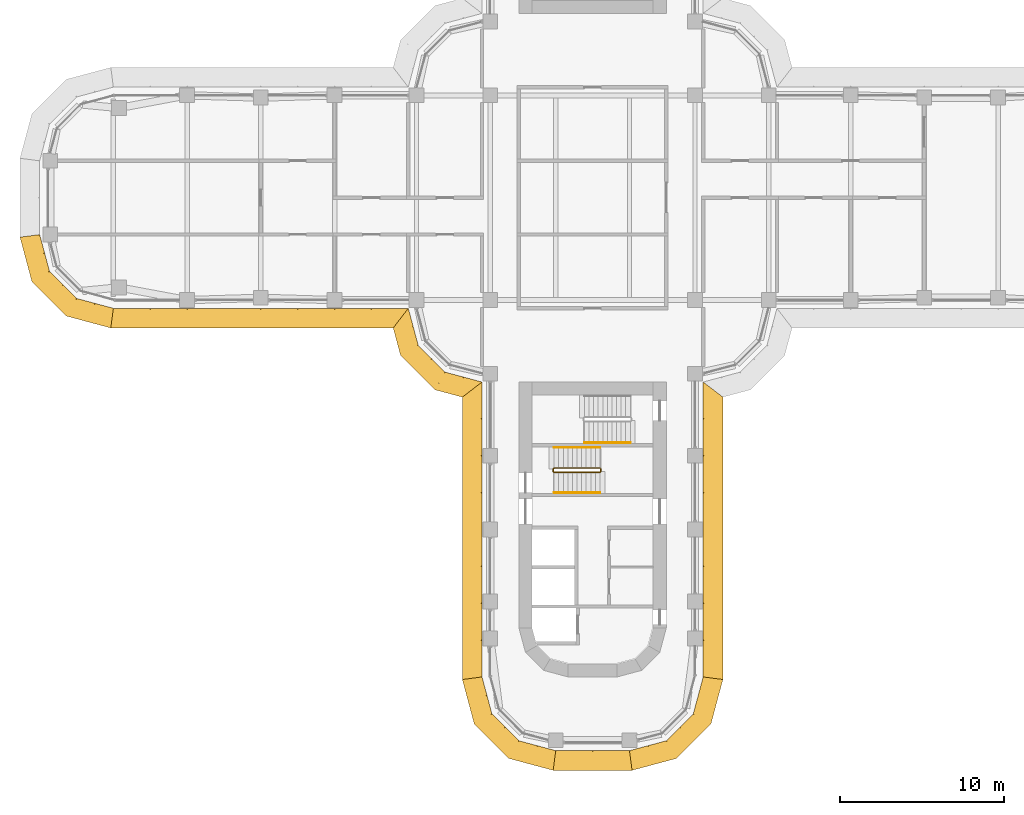
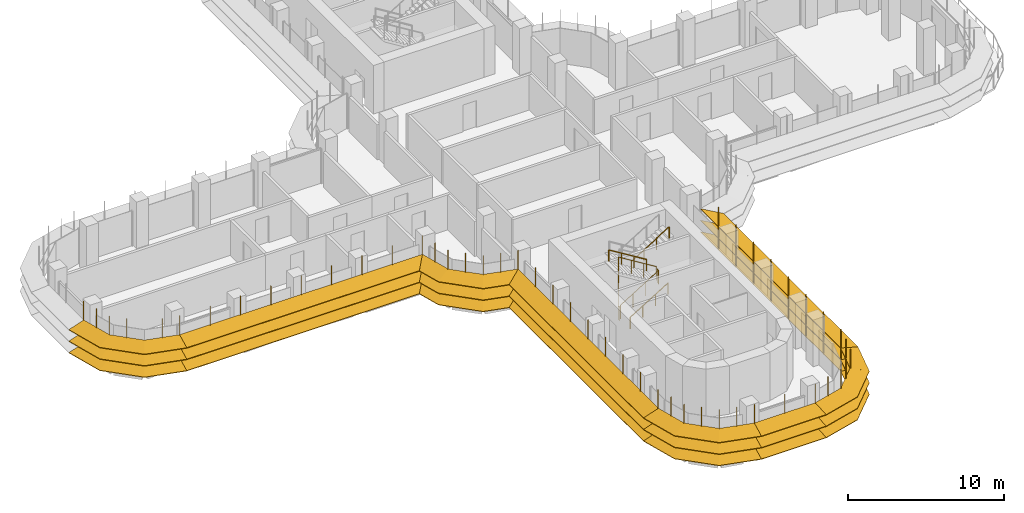
# One storey, part 19 of 22: 8 shading devices, 4 railings.
"""IFC4 building model written with IfcOpenShell, lengths in metres."""

from ifc_helpers import new_model, si_unit, direction, frame, origin, origin_2d, place, context, subcontext, project, spatial, polyline, circle, outline, extrude, faceted_brep, source, transform, mapped, material, type_object, element, save


model = new_model("IFC4")

# Units and contexts
model_context = context("Model", 3, precision=1e-05, world=origin(), true_north=direction((0.0, 1.0)))
body_context = subcontext(model_context, "Body", "Model", "MODEL_VIEW")
ifc_project = project(units=[si_unit("LENGTHUNIT", "METRE"), si_unit("AREAUNIT", "SQUARE_METRE"), si_unit("VOLUMEUNIT", "CUBIC_METRE"), si_unit("PLANEANGLEUNIT", "RADIAN"), si_unit("MASSUNIT", "GRAM", prefix="KILO")], contexts=[model_context])

# Site, building, storey
site_placement = place(None, origin())
site = spatial("IfcSite", under=ifc_project, at=site_placement, CompositionType="ELEMENT")
building_placement = place(site_placement, origin())
building = spatial("IfcBuilding", under=site, at=building_placement, Name="Zarbagh Exchange Tower", CompositionType="ELEMENT")
storey_placement = place(building_placement, frame((0.0, 0.0, 124.60009765625)))
storey = spatial("IfcBuildingStorey", under=building, at=storey_placement, Name="L29", CompositionType="ELEMENT", Elevation=124.60009765625)

# Railings
ifc_material_1 = material(Name="Stainless steel", Category="steel")
railing_type_1 = type_object("IfcRailingType", Name="Stair guard 1100 mm", PredefinedType="GUARDRAIL", material=ifc_material_1)
railing_1_placement = place(storey_placement, frame((0.449951171875, -16.5, 2.072509765625)))
element("IfcRailing", 1, at=railing_1_placement, inside=storey, type_object=railing_type_1, Name="ST3 stair guard 1", PredefinedType="GUARDRAIL", context=body_context, shape_type="SweptSolid", body=[
    extrude(circle(Radius=0.02392578125, at=origin_2d()), frame((0.0, 0.0, 1.076171875), z_axis=(-0.851089632645, 0.0, 0.525020415988), x_axis=(0.0, -1.0, 0.0)), (0.0, 0.0, 1.0), 3.2900390625),
    extrude(circle(Radius=0.02392578125, at=origin_2d()), frame((-2.800048828125, 0.0, 2.80322265625), z_axis=(-0.013104908129, -0.013169147875, -0.999827402569), x_axis=(0.708833529934, -0.705375805398, 0.0)), (0.0, 0.0, 1.0), 3.800537109375),
    extrude(circle(Radius=0.02392578125, at=origin_2d()), frame((-2.849853515625, -0.050048828125, -0.99658203125), z_axis=(0.0, -1.0, 0.0), x_axis=(1.0, 0.0, 0.0)), (0.0, 0.0, 1.0), 0.14990234375),
    extrude(circle(Radius=0.02392578125, at=origin_2d()), frame((-2.849853515625, -0.199951171875, -0.99658203125), z_axis=(0.267062837333, -0.268371968888, 0.925556009775), x_axis=(0.708833529934, 0.705375805398, 0.0)), (0.0, 0.0, 1.0), 0.1865234375),
    extrude(circle(Radius=0.02392578125, at=origin_2d()), frame((-2.800048828125, -0.25, -0.82373046875), z_axis=(0.851089632645, 0.0, 0.525020415988), x_axis=(0.0, 1.0, 0.0)), (0.0, 0.0, 1.0), 3.2900390625),
    extrude(circle(Radius=0.02392578125, at=origin_2d()), frame((0.0, -0.25, 0.9033203125), z_axis=(0.707106781187, 0.707106781187, 0.0), x_axis=(-0.707106781187, 0.707106781187, 0.0)), (0.0, 0.0, 1.0), 0.07080078125),
    extrude(circle(Radius=0.02392578125, at=origin_2d()), frame((0.050048828125, -0.199951171875, 0.9033203125), z_axis=(0.0, 1.0, 0.0), x_axis=(-1.0, 0.0, 0.0)), (0.0, 0.0, 1.0), 0.14990234375),
    extrude(circle(Radius=0.02099609375, at=origin_2d()), origin(), (0.0, 0.0, 1.0), 1.052001953125),
    extrude(circle(Radius=0.02099609375, at=origin_2d()), frame((-0.933349609375, 0.0, 0.57568359375)), (0.0, 0.0, 1.0), 1.052001953125),
    extrude(circle(Radius=0.02099609375, at=origin_2d()), frame((-1.86669921875, 0.0, 1.151611328125)), (0.0, 0.0, 1.0), 1.052001953125),
    extrude(circle(Radius=0.02099609375, at=origin_2d()), frame((-2.800048828125, 0.0, 1.727294921875)), (0.0, 0.0, 1.0), 1.052001953125),
    extrude(circle(Radius=0.02099609375, at=origin_2d()), frame((-2.8125, -0.012451171875, 0.77734375)), (0.0, 0.0, 1.0), 1.052001953125),
    extrude(circle(Radius=0.02099609375, at=origin_2d()), frame((-2.824951171875, -0.02490234375, -0.172607421875)), (0.0, 0.0, 1.0), 1.052001953125),
    extrude(circle(Radius=0.02099609375, at=origin_2d()), frame((-2.83740234375, -0.03759765625, -1.12255859375)), (0.0, 0.0, 1.0), 1.052001953125),
    extrude(circle(Radius=0.02099609375, at=origin_2d()), frame((-2.849853515625, -0.050048828125, -2.072509765625)), (0.0, 0.0, 1.0), 1.052001953125),
    extrude(circle(Radius=0.02099609375, at=origin_2d()), frame((-2.849853515625, -0.199951171875, -2.072509765625)), (0.0, 0.0, 1.0), 1.052001953125),
    extrude(circle(Radius=0.02099609375, at=origin_2d()), frame((-2.800048828125, -0.25, -1.89990234375)), (0.0, 0.0, 1.0), 1.052001953125),
    extrude(circle(Radius=0.02099609375, at=origin_2d()), frame((-1.86669921875, -0.25, -1.32421875)), (0.0, 0.0, 1.0), 1.052001953125),
    extrude(circle(Radius=0.02099609375, at=origin_2d()), frame((-0.933349609375, -0.25, -0.748291015625)), (0.0, 0.0, 1.0), 1.052001953125),
    extrude(circle(Radius=0.02099609375, at=origin_2d()), frame((0.0, -0.25, -0.172607421875)), (0.0, 0.0, 1.0), 1.052001953125),
    extrude(circle(Radius=0.02099609375, at=origin_2d()), frame((0.050048828125, -0.199951171875, -0.172607421875)), (0.0, 0.0, 1.0), 1.052001953125),
    extrude(circle(Radius=0.02099609375, at=origin_2d()), frame((0.050048828125, -0.050048828125, -0.172607421875)), (0.0, 0.0, 1.0), 1.052001953125),
])
railing_type_2 = type_object("IfcRailingType", Name="Stair handrail 900 mm", PredefinedType="HANDRAIL", material=ifc_material_1)
railing_2_placement = place(storey_placement, frame((-2.35009765625, -18.0, 0.172607421875)))
element("IfcRailing", 2, at=railing_2_placement, inside=storey, type_object=railing_type_2, Name="ST3 stair handrail 1", PredefinedType="HANDRAIL", context=body_context, shape_type="SweptSolid", body=[
    extrude(circle(Radius=0.02392578125, at=origin_2d()), frame((0.0, 0.0, 0.8759765625), z_axis=(0.851089632645, 0.0, 0.525020415988), x_axis=(0.0, 1.0, 0.0)), (0.0, 0.0, 1.0), 3.2900390625),
    extrude(circle(Radius=0.02099609375, at=origin_2d()), origin(), (0.0, 0.0, 1.0), 0.851806640625),
    extrude(circle(Radius=0.02099609375, at=origin_2d()), frame((0.933349609375, 0.0, 0.57568359375)), (0.0, 0.0, 1.0), 0.851806640625),
    extrude(circle(Radius=0.02099609375, at=origin_2d()), frame((1.86669921875, 0.0, 1.151611328125)), (0.0, 0.0, 1.0), 0.851806640625),
    extrude(circle(Radius=0.02099609375, at=origin_2d()), frame((2.800048828125, 0.0, 1.727294921875)), (0.0, 0.0, 1.0), 0.851806640625),
])
railing_3_placement = place(storey_placement, frame((0.449951171875, -15.25, 2.072509765625)))
element("IfcRailing", 3, at=railing_3_placement, inside=storey, type_object=railing_type_2, Name="ST3 stair handrail 2", PredefinedType="HANDRAIL", context=body_context, shape_type="SweptSolid", body=[
    extrude(circle(Radius=0.02392578125, at=origin_2d()), frame((0.0, 0.0, 0.8759765625), z_axis=(-0.851089632645, 0.0, 0.525020415988), x_axis=(0.0, -1.0, 0.0)), (0.0, 0.0, 1.0), 3.2900390625),
    extrude(circle(Radius=0.02099609375, at=origin_2d()), origin(), (0.0, 0.0, 1.0), 0.851806640625),
    extrude(circle(Radius=0.02099609375, at=origin_2d()), frame((-0.933349609375, 0.0, 0.57568359375)), (0.0, 0.0, 1.0), 0.851806640625),
    extrude(circle(Radius=0.02099609375, at=origin_2d()), frame((-1.86669921875, 0.0, 1.151611328125)), (0.0, 0.0, 1.0), 0.851806640625),
    extrude(circle(Radius=0.02099609375, at=origin_2d()), frame((-2.800048828125, 0.0, 1.727294921875)), (0.0, 0.0, 1.0), 0.851806640625),
])
railing_4_placement = place(storey_placement, frame((-0.5, -14.949951171875, 2.072509765625)))
element("IfcRailing", 4, at=railing_4_placement, inside=storey, type_object=railing_type_2, Name="ST4 stair handrail 2", PredefinedType="HANDRAIL", context=body_context, shape_type="SweptSolid", body=[
    extrude(circle(Radius=0.02392578125, at=origin_2d()), frame((0.0, 0.0, 0.8759765625), z_axis=(0.851089632645, 0.0, 0.525020415988), x_axis=(0.0, 1.0, 0.0)), (0.0, 0.0, 1.0), 3.2900390625),
    extrude(circle(Radius=0.02099609375, at=origin_2d()), origin(), (0.0, 0.0, 1.0), 0.851806640625),
    extrude(circle(Radius=0.02099609375, at=origin_2d()), frame((0.933349609375, 0.0, 0.57568359375)), (0.0, 0.0, 1.0), 0.851806640625),
    extrude(circle(Radius=0.02099609375, at=origin_2d()), frame((1.86669921875, 0.0, 1.151611328125)), (0.0, 0.0, 1.0), 0.851806640625),
    extrude(circle(Radius=0.02099609375, at=origin_2d()), frame((2.800048828125, 0.0, 1.727294921875)), (0.0, 0.0, 1.0), 0.851806640625),
])

# Shading devices
ifc_material_2 = material(Name="Anodised aluminium blades and brackets", Category="aluminium")
shading_device_type = type_object("IfcShadingDeviceType", Name="SUNSHADE louvre band, 11.25 degree blades", PredefinedType="JALOUSIE", material=ifc_material_2)
shared_shape_1 = source(origin(), body_context, "Body", "Brep", [
    faceted_brep([(0.0, 0.0, 0.0), (0.0, 0.0, -0.040771484375), (-0.157958984375, -1.199951171875, -0.279541015625), (-0.157958984375, -1.199951171875, -0.23876953125), (2.65087890625, -1.199951171875, -0.23876953125), (2.65087890625, -1.199951171875, -0.279541015625), (2.329345703125, 0.0, -0.040771484375), (2.329345703125, 0.0, 0.0)], [[[0, 1, 2, 3]], [[4, 5, 6, 7]], [[0, 7, 6, 1]], [[1, 6, 5, 2]], [[2, 5, 4, 3]], [[3, 4, 7, 0]]]),
])
shared_shape_2 = source(origin(), body_context, "Body", "Brep", [
    faceted_brep([(0.0, 0.0, 0.0), (0.0, 0.0, -0.040771484375), (-0.321533203125, -1.199951171875, -0.279541015625), (-0.321533203125, -1.199951171875, -0.23876953125), (2.65087890625, -1.199951171875, -0.23876953125), (2.65087890625, -1.199951171875, -0.279541015625), (2.329345703125, 0.0, -0.040771484375), (2.329345703125, 0.0, 0.0)], [[[0, 1, 2, 3]], [[4, 5, 6, 7]], [[0, 7, 6, 1]], [[1, 6, 5, 2]], [[2, 5, 4, 3]], [[3, 4, 7, 0]]]),
])
shared_shape_3 = source(origin(), body_context, "Body", "Brep", [
    faceted_brep([(0.0, 0.0, 0.0), (0.0, 0.0, -0.040771484375), (-0.321533203125, -1.199951171875, -0.279541015625), (-0.321533203125, -1.199951171875, -0.23876953125), (2.4873046875, -1.199951171875, -0.23876953125), (2.4873046875, -1.199951171875, -0.279541015625), (2.329345703125, 0.0, -0.040771484375), (2.329345703125, 0.0, 0.0)], [[[0, 1, 2, 3]], [[4, 5, 6, 7]], [[0, 7, 6, 1]], [[1, 6, 5, 2]], [[2, 5, 4, 3]], [[3, 4, 7, 0]]]),
])
shared_shape_4 = source(origin(), body_context, "Body", "SweptSolid", [
    extrude(outline(polyline([(0.0, -0.012451171875), (0.06005859375, -0.012451171875), (0.06005859375, 0.012451171875), (0.0, 0.012451171875), (0.0, -0.012451171875)])), origin(), (0.0, 0.0, 1.0), 3.350830078125),
])
placement = place(storey_placement, origin())
element("IfcShadingDevice", 5, at=placement, inside=storey, type_object=shading_device_type, Name="SS01 sunshade band", PredefinedType="JALOUSIE", context=body_context, shape_type="MappedRepresentation", body=[
    mapped(shared_shape_1, transform((2.25, -33.75, 2.2998046875), x_axis=(0.965924289636, 0.258824779902, 0.0), y_axis=(-0.258824779902, 0.965924289636, 0.0), z_axis=(0.0, 0.0, 1.0))),
    mapped(shared_shape_1, transform((2.25, -33.75, 1.39990234375), x_axis=(0.965924289636, 0.258824779902, 0.0), y_axis=(-0.258824779902, 0.965924289636, 0.0), z_axis=(0.0, 0.0, 1.0))),
    mapped(shared_shape_1, transform((2.25, -33.75, 0.5), x_axis=(0.965924289636, 0.258824779902, 0.0), y_axis=(-0.258824779902, 0.965924289636, 0.0), z_axis=(0.0, 0.0, 1.0))),
    mapped(shared_shape_2, transform((4.5, -33.147216796875, 2.2998046875), x_axis=(0.707106781187, 0.707106781187, 0.0), y_axis=(-0.707106781187, 0.707106781187, 0.0), z_axis=(0.0, 0.0, 1.0))),
    mapped(shared_shape_2, transform((4.5, -33.147216796875, 1.39990234375), x_axis=(0.707106781187, 0.707106781187, 0.0), y_axis=(-0.707106781187, 0.707106781187, 0.0), z_axis=(0.0, 0.0, 1.0))),
    mapped(shared_shape_2, transform((4.5, -33.147216796875, 0.5), x_axis=(0.707106781187, 0.707106781187, 0.0), y_axis=(-0.707106781187, 0.707106781187, 0.0), z_axis=(0.0, 0.0, 1.0))),
    mapped(shared_shape_3, transform((6.147216796875, -31.5, 2.2998046875), x_axis=(0.258824779902, 0.965924289636, 0.0), y_axis=(-0.965924289636, 0.258824779902, 0.0), z_axis=(0.0, 0.0, 1.0))),
    mapped(shared_shape_3, transform((6.147216796875, -31.5, 1.39990234375), x_axis=(0.258824779902, 0.965924289636, 0.0), y_axis=(-0.965924289636, 0.258824779902, 0.0), z_axis=(0.0, 0.0, 1.0))),
    mapped(shared_shape_3, transform((6.147216796875, -31.5, 0.5), x_axis=(0.258824779902, 0.965924289636, 0.0), y_axis=(-0.965924289636, 0.258824779902, 0.0), z_axis=(0.0, 0.0, 1.0))),
    mapped(shared_shape_4, transform((2.25, -33.75, 0.42919921875), x_axis=(0.130529263012, -0.991444457092, 0.0), y_axis=(0.991444457092, 0.130529263012, 0.0), z_axis=(0.0, 0.0, 1.0))),
    mapped(shared_shape_4, transform((3.375, -33.448486328125, 0.42919921875), x_axis=(0.258825058029, -0.96592421511, 0.0), y_axis=(0.96592421511, 0.258825058029, 0.0), z_axis=(0.0, 0.0, 1.0))),
    mapped(shared_shape_4, transform((4.5, -33.147216796875, 0.42919921875), x_axis=(0.50000275701, -0.866023812018, 0.0), y_axis=(0.866023812018, 0.50000275701, 0.0), z_axis=(0.0, 0.0, 1.0))),
    mapped(shared_shape_4, transform((5.323486328125, -32.323486328125, 0.42919921875), x_axis=(0.707106781187, -0.707106781187, 0.0), y_axis=(0.707106781187, 0.707106781187, 0.0), z_axis=(0.0, 0.0, 1.0))),
    mapped(shared_shape_4, transform((6.147216796875, -31.5, 0.42919921875), x_axis=(0.866023812018, -0.50000275701, 0.0), y_axis=(0.50000275701, 0.866023812018, 0.0), z_axis=(0.0, 0.0, 1.0))),
    mapped(shared_shape_4, transform((6.448486328125, -30.375, 0.42919921875), x_axis=(0.96592421511, -0.258825058029, 0.0), y_axis=(0.258825058029, 0.96592421511, 0.0), z_axis=(0.0, 0.0, 1.0))),
])
element("IfcShadingDevice", 6, at=placement, inside=storey, type_object=shading_device_type, Name="SS19 sunshade band", PredefinedType="JALOUSIE", context=body_context, shape_type="MappedRepresentation", body=[
    mapped(shared_shape_1, transform((-33.75, -2.25, 2.2998046875), x_axis=(0.258824779902, -0.965924289636, 0.0), y_axis=(0.965924289636, 0.258824779902, 0.0), z_axis=(0.0, 0.0, 1.0))),
    mapped(shared_shape_1, transform((-33.75, -2.25, 1.39990234375), x_axis=(0.258824779902, -0.965924289636, 0.0), y_axis=(0.965924289636, 0.258824779902, 0.0), z_axis=(0.0, 0.0, 1.0))),
    mapped(shared_shape_1, transform((-33.75, -2.25, 0.5), x_axis=(0.258824779902, -0.965924289636, 0.0), y_axis=(0.965924289636, 0.258824779902, 0.0), z_axis=(0.0, 0.0, 1.0))),
    mapped(shared_shape_2, transform((-33.147216796875, -4.5, 2.2998046875), x_axis=(0.707106781187, -0.707106781187, 0.0), y_axis=(0.707106781187, 0.707106781187, 0.0), z_axis=(0.0, 0.0, 1.0))),
    mapped(shared_shape_2, transform((-33.147216796875, -4.5, 1.39990234375), x_axis=(0.707106781187, -0.707106781187, 0.0), y_axis=(0.707106781187, 0.707106781187, 0.0), z_axis=(0.0, 0.0, 1.0))),
    mapped(shared_shape_2, transform((-33.147216796875, -4.5, 0.5), x_axis=(0.707106781187, -0.707106781187, 0.0), y_axis=(0.707106781187, 0.707106781187, 0.0), z_axis=(0.0, 0.0, 1.0))),
    mapped(shared_shape_3, transform((-31.5, -6.147216796875, 2.2998046875), x_axis=(0.965924289636, -0.258824779902, 0.0), y_axis=(0.258824779902, 0.965924289636, 0.0), z_axis=(0.0, 0.0, 1.0))),
    mapped(shared_shape_3, transform((-31.5, -6.147216796875, 1.39990234375), x_axis=(0.965924289636, -0.258824779902, 0.0), y_axis=(0.258824779902, 0.965924289636, 0.0), z_axis=(0.0, 0.0, 1.0))),
    mapped(shared_shape_3, transform((-31.5, -6.147216796875, 0.5), x_axis=(0.965924289636, -0.258824779902, 0.0), y_axis=(0.258824779902, 0.965924289636, 0.0), z_axis=(0.0, 0.0, 1.0))),
    mapped(shared_shape_4, transform((-33.75, -2.25, 0.42919921875), x_axis=(-0.991444457092, -0.130529263012, 0.0), y_axis=(0.130529263012, -0.991444457092, 0.0), z_axis=(0.0, 0.0, 1.0))),
    mapped(shared_shape_4, transform((-33.448486328125, -3.375, 0.42919921875), x_axis=(-0.96592421511, -0.258825058029, 0.0), y_axis=(0.258825058029, -0.96592421511, 0.0), z_axis=(0.0, 0.0, 1.0))),
    mapped(shared_shape_4, transform((-33.147216796875, -4.5, 0.42919921875), x_axis=(-0.866023812018, -0.50000275701, 0.0), y_axis=(0.50000275701, -0.866023812018, 0.0), z_axis=(0.0, 0.0, 1.0))),
    mapped(shared_shape_4, transform((-32.323486328125, -5.323486328125, 0.42919921875), x_axis=(-0.707106781187, -0.707106781187, 0.0), y_axis=(0.707106781187, -0.707106781187, 0.0), z_axis=(0.0, 0.0, 1.0))),
    mapped(shared_shape_4, transform((-31.5, -6.147216796875, 0.42919921875), x_axis=(-0.50000275701, -0.866023812018, 0.0), y_axis=(0.866023812018, -0.50000275701, 0.0), z_axis=(0.0, 0.0, 1.0))),
    mapped(shared_shape_4, transform((-30.375, -6.448486328125, 0.42919921875), x_axis=(-0.258825058029, -0.96592421511, 0.0), y_axis=(0.96592421511, -0.258825058029, 0.0), z_axis=(0.0, 0.0, 1.0))),
])
element("IfcShadingDevice", 7, at=placement, inside=storey, type_object=shading_device_type, Name="SS23 sunshade band", PredefinedType="JALOUSIE", context=body_context, shape_type="MappedRepresentation", body=[
    mapped(shared_shape_1, transform((-6.75, -29.25, 2.2998046875), x_axis=(0.258824779902, -0.965924289636, 0.0), y_axis=(0.965924289636, 0.258824779902, 0.0), z_axis=(0.0, 0.0, 1.0))),
    mapped(shared_shape_1, transform((-6.75, -29.25, 1.39990234375), x_axis=(0.258824779902, -0.965924289636, 0.0), y_axis=(0.965924289636, 0.258824779902, 0.0), z_axis=(0.0, 0.0, 1.0))),
    mapped(shared_shape_1, transform((-6.75, -29.25, 0.5), x_axis=(0.258824779902, -0.965924289636, 0.0), y_axis=(0.965924289636, 0.258824779902, 0.0), z_axis=(0.0, 0.0, 1.0))),
    mapped(shared_shape_2, transform((-6.147216796875, -31.5, 2.2998046875), x_axis=(0.707106781187, -0.707106781187, 0.0), y_axis=(0.707106781187, 0.707106781187, 0.0), z_axis=(0.0, 0.0, 1.0))),
    mapped(shared_shape_2, transform((-6.147216796875, -31.5, 1.39990234375), x_axis=(0.707106781187, -0.707106781187, 0.0), y_axis=(0.707106781187, 0.707106781187, 0.0), z_axis=(0.0, 0.0, 1.0))),
    mapped(shared_shape_2, transform((-6.147216796875, -31.5, 0.5), x_axis=(0.707106781187, -0.707106781187, 0.0), y_axis=(0.707106781187, 0.707106781187, 0.0), z_axis=(0.0, 0.0, 1.0))),
    mapped(shared_shape_3, transform((-4.5, -33.147216796875, 2.2998046875), x_axis=(0.965924289636, -0.258824779902, 0.0), y_axis=(0.258824779902, 0.965924289636, 0.0), z_axis=(0.0, 0.0, 1.0))),
    mapped(shared_shape_3, transform((-4.5, -33.147216796875, 1.39990234375), x_axis=(0.965924289636, -0.258824779902, 0.0), y_axis=(0.258824779902, 0.965924289636, 0.0), z_axis=(0.0, 0.0, 1.0))),
    mapped(shared_shape_3, transform((-4.5, -33.147216796875, 0.5), x_axis=(0.965924289636, -0.258824779902, 0.0), y_axis=(0.258824779902, 0.965924289636, 0.0), z_axis=(0.0, 0.0, 1.0))),
    mapped(shared_shape_4, transform((-6.75, -29.25, 0.42919921875), x_axis=(-0.991444457092, -0.130529263012, 0.0), y_axis=(0.130529263012, -0.991444457092, 0.0), z_axis=(0.0, 0.0, 1.0))),
    mapped(shared_shape_4, transform((-6.448486328125, -30.375, 0.42919921875), x_axis=(-0.96592421511, -0.258825058029, 0.0), y_axis=(0.258825058029, -0.96592421511, 0.0), z_axis=(0.0, 0.0, 1.0))),
    mapped(shared_shape_4, transform((-6.147216796875, -31.5, 0.42919921875), x_axis=(-0.866023812018, -0.50000275701, 0.0), y_axis=(0.50000275701, -0.866023812018, 0.0), z_axis=(0.0, 0.0, 1.0))),
    mapped(shared_shape_4, transform((-5.323486328125, -32.323486328125, 0.42919921875), x_axis=(-0.707106781187, -0.707106781187, 0.0), y_axis=(0.707106781187, -0.707106781187, 0.0), z_axis=(0.0, 0.0, 1.0))),
    mapped(shared_shape_4, transform((-4.5, -33.147216796875, 0.42919921875), x_axis=(-0.50000275701, -0.866023812018, 0.0), y_axis=(0.866023812018, -0.50000275701, 0.0), z_axis=(0.0, 0.0, 1.0))),
    mapped(shared_shape_4, transform((-3.375, -33.448486328125, 0.42919921875), x_axis=(-0.258825058029, -0.96592421511, 0.0), y_axis=(0.96592421511, -0.258825058029, 0.0), z_axis=(0.0, 0.0, 1.0))),
])
shared_shape_5 = source(origin(), body_context, "Body", "Brep", [
    faceted_brep([(0.0, 0.0, 0.0), (0.0, 0.0, -0.040771484375), (0.9208984375, -1.199951171875, -0.279541015625), (0.9208984375, -1.199951171875, -0.23876953125), (2.65087890625, -1.199951171875, -0.23876953125), (2.65087890625, -1.199951171875, -0.279541015625), (2.329345703125, 0.0, -0.040771484375), (2.329345703125, 0.0, 0.0)], [[[0, 1, 2, 3]], [[4, 5, 6, 7]], [[0, 7, 6, 1]], [[1, 6, 5, 2]], [[2, 5, 4, 3]], [[3, 4, 7, 0]]]),
])
shared_shape_6 = source(origin(), body_context, "Body", "Brep", [
    faceted_brep([(0.0, 0.0, 0.0), (0.0, 0.0, -0.040771484375), (-0.321533203125, -1.199951171875, -0.279541015625), (-0.321533203125, -1.199951171875, -0.23876953125), (1.40869140625, -1.199951171875, -0.23876953125), (1.40869140625, -1.199951171875, -0.279541015625), (2.329345703125, 0.0, -0.040771484375), (2.329345703125, 0.0, 0.0)], [[[0, 1, 2, 3]], [[4, 5, 6, 7]], [[0, 7, 6, 1]], [[1, 6, 5, 2]], [[2, 5, 4, 3]], [[3, 4, 7, 0]]]),
])
element("IfcShadingDevice", 8, at=placement, inside=storey, type_object=shading_device_type, Name="SS21 sunshade band", PredefinedType="JALOUSIE", context=body_context, shape_type="MappedRepresentation", body=[
    mapped(shared_shape_5, transform((-11.25, -6.75, 2.2998046875), x_axis=(0.258824779902, -0.965924289636, 0.0), y_axis=(0.965924289636, 0.258824779902, 0.0), z_axis=(0.0, 0.0, 1.0))),
    mapped(shared_shape_5, transform((-11.25, -6.75, 1.39990234375), x_axis=(0.258824779902, -0.965924289636, 0.0), y_axis=(0.965924289636, 0.258824779902, 0.0), z_axis=(0.0, 0.0, 1.0))),
    mapped(shared_shape_5, transform((-11.25, -6.75, 0.5), x_axis=(0.258824779902, -0.965924289636, 0.0), y_axis=(0.965924289636, 0.258824779902, 0.0), z_axis=(0.0, 0.0, 1.0))),
    mapped(shared_shape_2, transform((-10.647216796875, -9.0, 2.2998046875), x_axis=(0.707106781187, -0.707106781187, 0.0), y_axis=(0.707106781187, 0.707106781187, 0.0), z_axis=(0.0, 0.0, 1.0))),
    mapped(shared_shape_2, transform((-10.647216796875, -9.0, 1.39990234375), x_axis=(0.707106781187, -0.707106781187, 0.0), y_axis=(0.707106781187, 0.707106781187, 0.0), z_axis=(0.0, 0.0, 1.0))),
    mapped(shared_shape_2, transform((-10.647216796875, -9.0, 0.5), x_axis=(0.707106781187, -0.707106781187, 0.0), y_axis=(0.707106781187, 0.707106781187, 0.0), z_axis=(0.0, 0.0, 1.0))),
    mapped(shared_shape_6, transform((-9.0, -10.647216796875, 2.2998046875), x_axis=(0.965924289636, -0.258824779902, 0.0), y_axis=(0.258824779902, 0.965924289636, 0.0), z_axis=(0.0, 0.0, 1.0))),
    mapped(shared_shape_6, transform((-9.0, -10.647216796875, 1.39990234375), x_axis=(0.965924289636, -0.258824779902, 0.0), y_axis=(0.258824779902, 0.965924289636, 0.0), z_axis=(0.0, 0.0, 1.0))),
    mapped(shared_shape_6, transform((-9.0, -10.647216796875, 0.5), x_axis=(0.965924289636, -0.258824779902, 0.0), y_axis=(0.258824779902, 0.965924289636, 0.0), z_axis=(0.0, 0.0, 1.0))),
    mapped(shared_shape_4, transform((-11.25, -6.75, 0.42919921875), x_axis=(-0.608758892, -0.793355287, 0.0), y_axis=(0.793355287, -0.608758892, 0.0), z_axis=(0.0, 0.0, 1.0))),
    mapped(shared_shape_4, transform((-10.948486328125, -7.875, 0.42919921875), x_axis=(-0.96592421511, -0.258825058029, 0.0), y_axis=(0.258825058029, -0.96592421511, 0.0), z_axis=(0.0, 0.0, 1.0))),
    mapped(shared_shape_4, transform((-10.647216796875, -9.0, 0.42919921875), x_axis=(-0.866023812018, -0.50000275701, 0.0), y_axis=(0.50000275701, -0.866023812018, 0.0), z_axis=(0.0, 0.0, 1.0))),
    mapped(shared_shape_4, transform((-9.823486328125, -9.823486328125, 0.42919921875), x_axis=(-0.707106781187, -0.707106781187, 0.0), y_axis=(0.707106781187, -0.707106781187, 0.0), z_axis=(0.0, 0.0, 1.0))),
    mapped(shared_shape_4, transform((-9.0, -10.647216796875, 0.42919921875), x_axis=(-0.50000275701, -0.866023812018, 0.0), y_axis=(0.866023812018, -0.50000275701, 0.0), z_axis=(0.0, 0.0, 1.0))),
    mapped(shared_shape_4, transform((-7.875, -10.948486328125, 0.42919921875), x_axis=(-0.258825058029, -0.96592421511, 0.0), y_axis=(0.96592421511, -0.258825058029, 0.0), z_axis=(0.0, 0.0, 1.0))),
])
shared_shape_7 = source(origin(), body_context, "Body", "Brep", [
    faceted_brep([(0.0, 0.0, 0.0), (0.0, 0.0, -0.040771484375), (-0.157958984375, -1.199951171875, -0.279541015625), (-0.157958984375, -1.199951171875, -0.23876953125), (17.0791015625, -1.199951171875, -0.23876953125), (17.0791015625, -1.199951171875, -0.279541015625), (18.0, 0.0, -0.040771484375), (18.0, 0.0, 0.0)], [[[0, 1, 2, 3]], [[4, 5, 6, 7]], [[0, 7, 6, 1]], [[1, 6, 5, 2]], [[2, 5, 4, 3]], [[3, 4, 7, 0]]]),
])
element("IfcShadingDevice", 9, at=placement, inside=storey, type_object=shading_device_type, Name="SS02 sunshade band", PredefinedType="JALOUSIE", context=body_context, shape_type="MappedRepresentation", body=[
    mapped(shared_shape_7, transform((6.75, -29.25, 2.2998046875), x_axis=(0.0, 1.0, 0.0), y_axis=(-1.0, 0.0, 0.0), z_axis=(0.0, 0.0, 1.0))),
    mapped(shared_shape_7, transform((6.75, -29.25, 1.39990234375), x_axis=(0.0, 1.0, 0.0), y_axis=(-1.0, 0.0, 0.0), z_axis=(0.0, 0.0, 1.0))),
    mapped(shared_shape_7, transform((6.75, -29.25, 0.5), x_axis=(0.0, 1.0, 0.0), y_axis=(-1.0, 0.0, 0.0), z_axis=(0.0, 0.0, 1.0))),
    mapped(shared_shape_4, transform((6.75, -29.25, 0.42919921875), x_axis=(0.991444457092, -0.130529263012, 0.0), y_axis=(0.130529263012, 0.991444457092, 0.0), z_axis=(0.0, 0.0, 1.0))),
    mapped(shared_shape_4, transform((6.75, -27.0, 0.42919921875), x_axis=(1.0, 0.0, 0.0), y_axis=(0.0, 1.0, 0.0), z_axis=(0.0, 0.0, 1.0))),
    mapped(shared_shape_4, transform((6.75, -24.75, 0.42919921875), x_axis=(1.0, 0.0, 0.0), y_axis=(0.0, 1.0, 0.0), z_axis=(0.0, 0.0, 1.0))),
    mapped(shared_shape_4, transform((6.75, -22.5, 0.42919921875), x_axis=(1.0, 0.0, 0.0), y_axis=(0.0, 1.0, 0.0), z_axis=(0.0, 0.0, 1.0))),
    mapped(shared_shape_4, transform((6.75, -20.25, 0.42919921875), x_axis=(1.0, 0.0, 0.0), y_axis=(0.0, 1.0, 0.0), z_axis=(0.0, 0.0, 1.0))),
    mapped(shared_shape_4, transform((6.75, -18.0, 0.42919921875), x_axis=(1.0, 0.0, 0.0), y_axis=(0.0, 1.0, 0.0), z_axis=(0.0, 0.0, 1.0))),
    mapped(shared_shape_4, transform((6.75, -15.75, 0.42919921875), x_axis=(1.0, 0.0, 0.0), y_axis=(0.0, 1.0, 0.0), z_axis=(0.0, 0.0, 1.0))),
    mapped(shared_shape_4, transform((6.75, -13.5, 0.42919921875), x_axis=(1.0, 0.0, 0.0), y_axis=(0.0, 1.0, 0.0), z_axis=(0.0, 0.0, 1.0))),
])
element("IfcShadingDevice", 10, at=placement, inside=storey, type_object=shading_device_type, Name="SS20 sunshade band", PredefinedType="JALOUSIE", context=body_context, shape_type="MappedRepresentation", body=[
    mapped(shared_shape_7, transform((-29.25, -6.75, 2.2998046875), x_axis=(1.0, 0.0, 0.0), y_axis=(0.0, 1.0, 0.0), z_axis=(0.0, 0.0, 1.0))),
    mapped(shared_shape_7, transform((-29.25, -6.75, 1.39990234375), x_axis=(1.0, 0.0, 0.0), y_axis=(0.0, 1.0, 0.0), z_axis=(0.0, 0.0, 1.0))),
    mapped(shared_shape_7, transform((-29.25, -6.75, 0.5), x_axis=(1.0, 0.0, 0.0), y_axis=(0.0, 1.0, 0.0), z_axis=(0.0, 0.0, 1.0))),
    mapped(shared_shape_4, transform((-29.25, -6.75, 0.42919921875), x_axis=(-0.130529263012, -0.991444457092, 0.0), y_axis=(0.991444457092, -0.130529263012, 0.0), z_axis=(0.0, 0.0, 1.0))),
    mapped(shared_shape_4, transform((-27.0, -6.75, 0.42919921875), x_axis=(0.0, -1.0, 0.0), y_axis=(1.0, 0.0, 0.0), z_axis=(0.0, 0.0, 1.0))),
    mapped(shared_shape_4, transform((-24.75, -6.75, 0.42919921875), x_axis=(0.0, -1.0, 0.0), y_axis=(1.0, 0.0, 0.0), z_axis=(0.0, 0.0, 1.0))),
    mapped(shared_shape_4, transform((-22.5, -6.75, 0.42919921875), x_axis=(0.0, -1.0, 0.0), y_axis=(1.0, 0.0, 0.0), z_axis=(0.0, 0.0, 1.0))),
    mapped(shared_shape_4, transform((-20.25, -6.75, 0.42919921875), x_axis=(0.0, -1.0, 0.0), y_axis=(1.0, 0.0, 0.0), z_axis=(0.0, 0.0, 1.0))),
    mapped(shared_shape_4, transform((-18.0, -6.75, 0.42919921875), x_axis=(0.0, -1.0, 0.0), y_axis=(1.0, 0.0, 0.0), z_axis=(0.0, 0.0, 1.0))),
    mapped(shared_shape_4, transform((-15.75, -6.75, 0.42919921875), x_axis=(0.0, -1.0, 0.0), y_axis=(1.0, 0.0, 0.0), z_axis=(0.0, 0.0, 1.0))),
    mapped(shared_shape_4, transform((-13.5, -6.75, 0.42919921875), x_axis=(0.0, -1.0, 0.0), y_axis=(1.0, 0.0, 0.0), z_axis=(0.0, 0.0, 1.0))),
])
shared_shape_8 = source(origin(), body_context, "Body", "Brep", [
    faceted_brep([(0.0, 0.0, 0.0), (0.0, 0.0, -0.040771484375), (0.9208984375, -1.199951171875, -0.279541015625), (0.9208984375, -1.199951171875, -0.23876953125), (18.157958984375, -1.199951171875, -0.23876953125), (18.157958984375, -1.199951171875, -0.279541015625), (18.0, 0.0, -0.040771484375), (18.0, 0.0, 0.0)], [[[0, 1, 2, 3]], [[4, 5, 6, 7]], [[0, 7, 6, 1]], [[1, 6, 5, 2]], [[2, 5, 4, 3]], [[3, 4, 7, 0]]]),
])
element("IfcShadingDevice", 11, at=placement, inside=storey, type_object=shading_device_type, Name="SS22 sunshade band", PredefinedType="JALOUSIE", context=body_context, shape_type="MappedRepresentation", body=[
    mapped(shared_shape_8, transform((-6.75, -11.25, 2.2998046875), x_axis=(0.0, -1.0, 0.0), y_axis=(1.0, 0.0, 0.0), z_axis=(0.0, 0.0, 1.0))),
    mapped(shared_shape_8, transform((-6.75, -11.25, 1.39990234375), x_axis=(0.0, -1.0, 0.0), y_axis=(1.0, 0.0, 0.0), z_axis=(0.0, 0.0, 1.0))),
    mapped(shared_shape_8, transform((-6.75, -11.25, 0.5), x_axis=(0.0, -1.0, 0.0), y_axis=(1.0, 0.0, 0.0), z_axis=(0.0, 0.0, 1.0))),
    mapped(shared_shape_4, transform((-6.75, -11.25, 0.42919921875), x_axis=(-0.793355287, -0.608758892, 0.0), y_axis=(0.608758892, -0.793355287, 0.0), z_axis=(0.0, 0.0, 1.0))),
    mapped(shared_shape_4, transform((-6.75, -13.5, 0.42919921875), x_axis=(-1.0, 0.0, 0.0), y_axis=(0.0, -1.0, 0.0), z_axis=(0.0, 0.0, 1.0))),
    mapped(shared_shape_4, transform((-6.75, -15.75, 0.42919921875), x_axis=(-1.0, 0.0, 0.0), y_axis=(0.0, -1.0, 0.0), z_axis=(0.0, 0.0, 1.0))),
    mapped(shared_shape_4, transform((-6.75, -18.0, 0.42919921875), x_axis=(-1.0, 0.0, 0.0), y_axis=(0.0, -1.0, 0.0), z_axis=(0.0, 0.0, 1.0))),
    mapped(shared_shape_4, transform((-6.75, -20.25, 0.42919921875), x_axis=(-1.0, 0.0, 0.0), y_axis=(0.0, -1.0, 0.0), z_axis=(0.0, 0.0, 1.0))),
    mapped(shared_shape_4, transform((-6.75, -22.5, 0.42919921875), x_axis=(-1.0, 0.0, 0.0), y_axis=(0.0, -1.0, 0.0), z_axis=(0.0, 0.0, 1.0))),
    mapped(shared_shape_4, transform((-6.75, -24.75, 0.42919921875), x_axis=(-1.0, 0.0, 0.0), y_axis=(0.0, -1.0, 0.0), z_axis=(0.0, 0.0, 1.0))),
    mapped(shared_shape_4, transform((-6.75, -27.0, 0.42919921875), x_axis=(-1.0, 0.0, 0.0), y_axis=(0.0, -1.0, 0.0), z_axis=(0.0, 0.0, 1.0))),
])
shared_shape_9 = source(origin(), body_context, "Body", "Brep", [
    faceted_brep([(0.0, 0.0, 0.0), (0.0, 0.0, -0.040771484375), (-0.157958984375, -1.199951171875, -0.279541015625), (-0.157958984375, -1.199951171875, -0.23876953125), (4.657958984375, -1.199951171875, -0.23876953125), (4.657958984375, -1.199951171875, -0.279541015625), (4.5, 0.0, -0.040771484375), (4.5, 0.0, 0.0)], [[[0, 1, 2, 3]], [[4, 5, 6, 7]], [[0, 7, 6, 1]], [[1, 6, 5, 2]], [[2, 5, 4, 3]], [[3, 4, 7, 0]]]),
])
element("IfcShadingDevice", 12, at=placement, inside=storey, type_object=shading_device_type, Name="SS24 sunshade band", PredefinedType="JALOUSIE", context=body_context, shape_type="MappedRepresentation", body=[
    mapped(shared_shape_9, transform((-2.25, -33.75, 2.2998046875), x_axis=(1.0, 0.0, 0.0), y_axis=(0.0, 1.0, 0.0), z_axis=(0.0, 0.0, 1.0))),
    mapped(shared_shape_9, transform((-2.25, -33.75, 1.39990234375), x_axis=(1.0, 0.0, 0.0), y_axis=(0.0, 1.0, 0.0), z_axis=(0.0, 0.0, 1.0))),
    mapped(shared_shape_9, transform((-2.25, -33.75, 0.5), x_axis=(1.0, 0.0, 0.0), y_axis=(0.0, 1.0, 0.0), z_axis=(0.0, 0.0, 1.0))),
    mapped(shared_shape_4, transform((-2.25, -33.75, 0.42919921875), x_axis=(-0.130529263012, -0.991444457092, 0.0), y_axis=(0.991444457092, -0.130529263012, 0.0), z_axis=(0.0, 0.0, 1.0))),
    mapped(shared_shape_4, transform((0.0, -33.75, 0.42919921875), x_axis=(0.0, -1.0, 0.0), y_axis=(1.0, 0.0, 0.0), z_axis=(0.0, 0.0, 1.0))),
])

save(model, "model.ifc")
